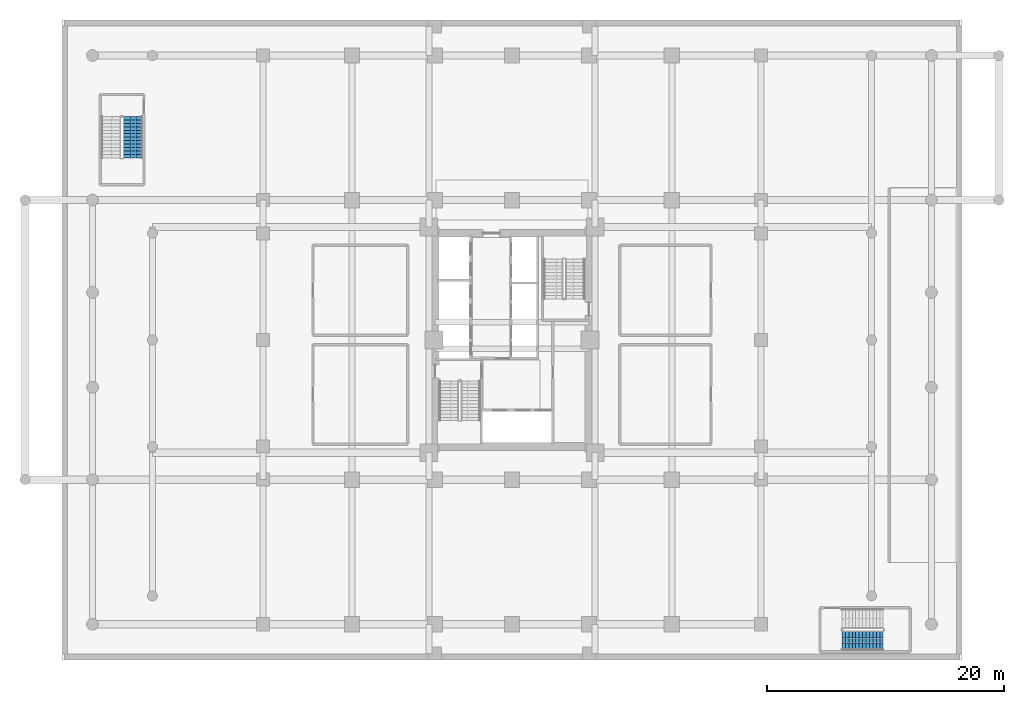
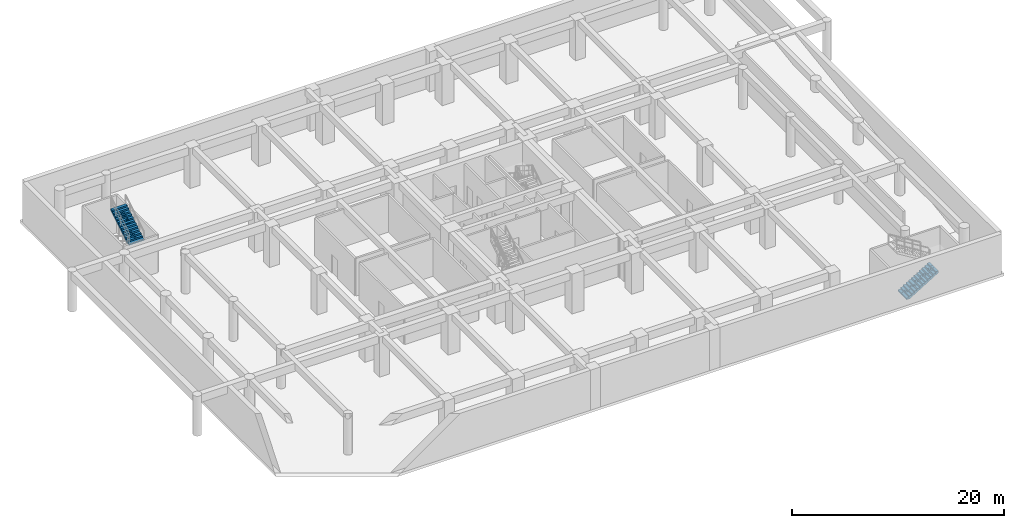
# One storey, part 7 of 12: 2 stair flights, 2 elements without a shape of their own.
"""IFC4 building model written with IfcOpenShell, lengths in metres."""

import ifcopenshell
import ifcopenshell.guid

model = None  # the IFC model being written
_history = None  # IfcOwnerHistory: only IFC2X3 demands one
_inside = {}  # id of a spatial element -> (the spatial element, [elements in it])
_under = {}  # id of a project, library or spatial element -> (it, [spatial elements below it])
_declared = {}  # id of a project -> (the project, [libraries it declares])
_typed = {}  # id of a type object -> (the type object, [elements of that type])
_made_of = {}  # id of a material, layer set ... -> (it, [elements and type objects made of it])


def new_model(schema):
    """Start an empty IFC model of exactly this schema.

    Asked for "IFC4X3", IfcOpenShell would pick the latest addendum, in which some entities
    have other attributes; the version numbers below select the first issue.
    IFC2X3 requires an IfcOwnerHistory on every rooted entity: one is made here for all.
    """
    global model, _history
    if schema == "IFC4X3":
        model = ifcopenshell.file(schema_version=(4, 3, 0, 0))
    else:
        model = ifcopenshell.file(schema=schema)
    _inside.clear()
    _under.clear()
    _declared.clear()
    _typed.clear()
    _made_of.clear()
    _history = None
    if model.schema == "IFC2X3":
        org = make("IfcOrganization", Name="unknown")
        user = make(
            "IfcPersonAndOrganization",
            ThePerson=make("IfcPerson", FamilyName="unknown"),
            TheOrganization=org,
        )
        app = make(
            "IfcApplication",
            ApplicationDeveloper=org,
            Version="unknown",
            ApplicationFullName="unknown",
            ApplicationIdentifier="unknown",
        )
        _history = make(
            "IfcOwnerHistory",
            OwningUser=user,
            OwningApplication=app,
            ChangeAction="ADDED",
            CreationDate=0,
        )
    return model


def make(cls, **values):
    """One entity of the class cls with the attributes given. An attribute that is None is left unset."""
    return model.create_entity(
        cls, **{name: value for name, value in values.items() if value is not None}
    )


def rooted(cls, **values):
    """An entity with a GlobalId (a new one), such as an element, a storey or a relation."""
    return make(cls, GlobalId=ifcopenshell.guid.new(), OwnerHistory=_history, **values)


def si_unit(unit_type, name, prefix=None):
    """IfcSIUnit, for example si_unit("LENGTHUNIT", "METRE", prefix="MILLI")."""
    return make("IfcSIUnit", UnitType=unit_type, Prefix=prefix, Name=name)


def assignment(units):
    """IfcUnitAssignment: the units of a project."""
    return None if units is None else make("IfcUnitAssignment", Units=units)


def point(xyz):
    """IfcCartesianPoint."""
    return None if xyz is None else make("IfcCartesianPoint", Coordinates=xyz)


def direction(xyz):
    """IfcDirection."""
    return None if xyz is None else make("IfcDirection", DirectionRatios=xyz)


def frame(location, z_axis=None, x_axis=None):
    """IfcAxis2Placement3D, a coordinate frame: its origin and axes. An axis left out is left unset."""
    return make(
        "IfcAxis2Placement3D",
        Location=point(location),
        Axis=direction(z_axis),
        RefDirection=direction(x_axis),
    )


def origin():
    """The frame at (0, 0, 0) with its axes left unset."""
    return frame((0.0, 0.0, 0.0))


def place(relative_to, where):
    """IfcLocalPlacement: puts the frame where relative to a parent placement (None: the world)."""
    return make(
        "IfcLocalPlacement", PlacementRelTo=relative_to, RelativePlacement=where
    )


def context(
    kind, dimensions, precision=None, world=None, true_north=None, identifier=None
):
    """IfcGeometricRepresentationContext, for example the 3D "Model" context."""
    return make(
        "IfcGeometricRepresentationContext",
        ContextIdentifier=identifier,
        ContextType=kind,
        CoordinateSpaceDimension=dimensions,
        Precision=precision,
        WorldCoordinateSystem=world,
        TrueNorth=true_north,
    )


def subcontext(parent, identifier, kind, view, scale=None):
    """IfcGeometricRepresentationSubContext, for example "Body" below "Model"."""
    return make(
        "IfcGeometricRepresentationSubContext",
        ContextIdentifier=identifier,
        ContextType=kind,
        ParentContext=parent,
        TargetScale=scale,
        TargetView=view,
    )


def project(units=None, contexts=None):
    """IfcProject with its units and contexts."""
    return rooted(
        "IfcProject",
        Name="project",
        RepresentationContexts=contexts,
        UnitsInContext=assignment(units),
    )


def spatial(cls, under=None, at=None, **own):
    """A site, building, storey or space (cls), placed at a placement, below another one or the project."""
    s = rooted(cls, ObjectPlacement=at, **own)
    if under is not None:
        _under.setdefault(under.id(), (under, []))[1].append(s)
    return s


def polyline(points):
    """IfcPolyline through the points."""
    return make("IfcPolyline", Points=[point(p) for p in points])


def outline(outer, holes=None, kind="AREA"):
    """IfcArbitraryClosedProfileDef: a profile drawn as a closed curve; with holes, ...WithVoids."""
    if holes is None:
        return make("IfcArbitraryClosedProfileDef", ProfileType=kind, OuterCurve=outer)
    return make(
        "IfcArbitraryProfileDefWithVoids",
        ProfileType=kind,
        OuterCurve=outer,
        InnerCurves=holes,
    )


def extrude(swept, where, along, depth):
    """IfcExtrudedAreaSolid: the profile swept, set in the frame where, extruded along a direction by depth."""
    return make(
        "IfcExtrudedAreaSolid",
        SweptArea=swept,
        Position=where,
        ExtrudedDirection=direction(along),
        Depth=depth,
    )


def shape(context_of_items, identifier, shape_type, items):
    """IfcShapeRepresentation: the items that make up one representation, for example the "Body"."""
    return make(
        "IfcShapeRepresentation",
        ContextOfItems=context_of_items,
        RepresentationIdentifier=identifier,
        RepresentationType=shape_type,
        Items=items,
    )


def material(Name=None, Category=None):
    """IfcMaterial."""
    return make("IfcMaterial", Name=Name, Category=Category)


def made_of(thing, what):
    """Note that an element or type object is made of a material, layer set ...; save() writes the relation."""
    if what is not None:
        _made_of.setdefault(what.id(), (what, []))[1].append(thing)
    return thing


def type_object(cls, material=None, **own):
    """A type object (cls), such as IfcWallType, which elements share."""
    return made_of(rooted(cls, **own), material)


def element(
    cls,
    number,
    at=None,
    inside=None,
    cuts=None,
    type_object=None,
    material=None,
    context=None,
    identifier="Body",
    shape_type=None,
    held_by="IfcProductDefinitionShape",
    body=None,
    shapes=None,
    **own,
):
    """One element of the class cls, such as IfcWall. Its Tag is "e" and its number.

    at: its placement. inside: the storey or other place that contains it. cuts: it is an
    opening in that element (IfcRelVoidsElement). A single representation is given by context,
    identifier, shape_type and body (its items); several are given by shapes. held_by: the class
    of the entity that holds the representations. save() writes the other relations.
    """
    e = rooted(cls, Tag="e%d" % number, ObjectPlacement=at, **own)
    if body is not None:
        shapes = [shape(context, identifier, shape_type, body)]
    if shapes is not None:
        e.Representation = make(held_by, Representations=shapes)
    if inside is not None:
        _inside.setdefault(inside.id(), (inside, []))[1].append(e)
    if cuts is not None:
        rooted(
            "IfcRelVoidsElement", RelatingBuildingElement=cuts, RelatedOpeningElement=e
        )
    if type_object is not None:
        _typed.setdefault(type_object.id(), (type_object, []))[1].append(e)
    return made_of(e, material)


def aggregate(whole, parts):
    """IfcRelAggregates: a whole, such as a stair, and the parts it consists of."""
    return rooted("IfcRelAggregates", RelatingObject=whole, RelatedObjects=parts)


def save(model, path):
    """Write the relations noted so far, then the file.

    IfcRelAggregates (storeys below a building ...), IfcRelContainedInSpatialStructure (elements
    in a storey), IfcRelDefinesByType, IfcRelAssociatesMaterial and IfcRelDeclares: one each for
    every whole, place, type object, material and project.
    """
    for whole, parts in _under.values():
        aggregate(whole, parts)
    for where, things in _inside.values():
        rooted(
            "IfcRelContainedInSpatialStructure",
            RelatedElements=things,
            RelatingStructure=where,
        )
    for kind, things in _typed.values():
        rooted("IfcRelDefinesByType", RelatedObjects=things, RelatingType=kind)
    for what, things in _made_of.values():
        rooted("IfcRelAssociatesMaterial", RelatedObjects=things, RelatingMaterial=what)
    for by, libraries in _declared.values():
        rooted("IfcRelDeclares", RelatingContext=by, RelatedDefinitions=libraries)
    model.write(path)


model = new_model("IFC4")

# Units and contexts
model_context = context("Model", 3, precision=1e-05, world=origin(), true_north=direction((0.0, 1.0)))
body_context = subcontext(model_context, "Body", "Model", "MODEL_VIEW")
ifc_project = project(units=[si_unit("LENGTHUNIT", "METRE"), si_unit("AREAUNIT", "SQUARE_METRE"), si_unit("VOLUMEUNIT", "CUBIC_METRE"), si_unit("PLANEANGLEUNIT", "RADIAN"), si_unit("MASSUNIT", "GRAM", prefix="KILO")], contexts=[model_context])

# Site, building, storey
site_placement = place(None, origin())
site = spatial("IfcSite", under=ifc_project, at=site_placement, CompositionType="ELEMENT")
building_placement = place(site_placement, origin())
building = spatial("IfcBuilding", under=site, at=building_placement, Name="Saelheon Loggia Tower", CompositionType="ELEMENT")
storey_placement = place(building_placement, frame((0.0, 0.0, -4.60009765625)))
storey = spatial("IfcBuildingStorey", under=building, at=storey_placement, Name="B1", CompositionType="ELEMENT", Elevation=-4.60009765625)

# Stair, stair flight
ifc_material = material(Name="Concrete C40/50", Category="concrete")
stair_type = type_object("IfcStairType", Name="Stair_Escape_Podium", PredefinedType="HALF_TURN_STAIR", material=ifc_material)
stair_1_placement = place(storey_placement, origin())
stair_1 = element("IfcStair", 1, at=stair_1_placement, inside=storey, type_object=stair_type, Name="B1 Podium Escape Stair ST3", PredefinedType="HALF_TURN_STAIR")
stair_flight_type = type_object("IfcStairFlightType", Name="StairFlight_Podium_1660", PredefinedType="STRAIGHT", material=ifc_material)
stair_flight_1_placement = place(storey_placement, frame((6.0, 42.3701171875, 2.300048828125), z_axis=(0.0, 0.0, 1.0), x_axis=(0.0, 1.0, 0.0)))
stair_flight_1 = element("IfcStairFlight", 2, at=stair_flight_1_placement, type_object=stair_flight_type, Name="ST3 flight 2", NumberOfRisers=13, NumberOfTreads=12, PredefinedType="STRAIGHT", RiserHeight=0.176923077, TreadLength=0.29, context=body_context, shape_type="SweptSolid", body=[
    extrude(outline(polyline([(0.0, 0.0), (0.0, 0.177001953125), (0.2900390625, 0.177001953125), (0.2900390625, 0.353759765625), (0.580078125, 0.353759765625), (0.580078125, 0.53076171875), (0.8701171875, 0.53076171875), (0.8701171875, 0.707763671875), (1.159912109375, 0.707763671875), (1.159912109375, 0.884521484375), (1.449951171875, 0.884521484375), (1.449951171875, 1.0615234375), (1.739990234375, 1.0615234375), (1.739990234375, 1.238525390625), (2.030029296875, 1.238525390625), (2.030029296875, 1.415283203125), (2.320068359375, 1.415283203125), (2.320068359375, 1.59228515625), (2.610107421875, 1.59228515625), (2.610107421875, 1.769287109375), (2.89990234375, 1.769287109375), (2.89990234375, 1.946044921875), (3.18994140625, 1.946044921875), (3.18994140625, 2.123046875), (3.47998046875, 2.123046875), (3.47998046875, 2.300048828125), (3.47998046875, 1.912353515625), (0.345458984375, 0.0), (0.0, 0.0)])), frame((0.0, -0.2490234375, 0.0), z_axis=(0.0, -1.0, 0.0), x_axis=(1.0, 0.0, 0.0)), (0.0, 0.0, 1.0), 0.5810546875),
    extrude(outline(polyline([(0.0, 0.0), (0.0, 0.177001953125), (0.2900390625, 0.177001953125), (0.2900390625, 0.353759765625), (0.580078125, 0.353759765625), (0.580078125, 0.53076171875), (0.8701171875, 0.53076171875), (0.8701171875, 0.707763671875), (1.159912109375, 0.707763671875), (1.159912109375, 0.884521484375), (1.449951171875, 0.884521484375), (1.449951171875, 1.0615234375), (1.739990234375, 1.0615234375), (1.739990234375, 1.238525390625), (2.030029296875, 1.238525390625), (2.030029296875, 1.415283203125), (2.320068359375, 1.415283203125), (2.320068359375, 1.59228515625), (2.610107421875, 1.59228515625), (2.610107421875, 1.769287109375), (2.89990234375, 1.769287109375), (2.89990234375, 1.946044921875), (3.18994140625, 1.946044921875), (3.18994140625, 2.123046875), (3.47998046875, 2.123046875), (3.47998046875, 2.300048828125), (3.47998046875, 1.912353515625), (0.345458984375, 0.0), (0.0, 0.0)])), frame((0.0, -0.194091796875, 0.0), z_axis=(0.0, -1.0, 0.0), x_axis=(1.0, 0.0, 0.0)), (0.0, 0.0, 1.0), 0.0498046875),
    extrude(outline(polyline([(0.0, 0.0), (0.0, 0.177001953125), (0.2900390625, 0.177001953125), (0.2900390625, 0.353759765625), (0.580078125, 0.353759765625), (0.580078125, 0.53076171875), (0.8701171875, 0.53076171875), (0.8701171875, 0.707763671875), (1.159912109375, 0.707763671875), (1.159912109375, 0.884521484375), (1.449951171875, 0.884521484375), (1.449951171875, 1.0615234375), (1.739990234375, 1.0615234375), (1.739990234375, 1.238525390625), (2.030029296875, 1.238525390625), (2.030029296875, 1.415283203125), (2.320068359375, 1.415283203125), (2.320068359375, 1.59228515625), (2.610107421875, 1.59228515625), (2.610107421875, 1.769287109375), (2.89990234375, 1.769287109375), (2.89990234375, 1.946044921875), (3.18994140625, 1.946044921875), (3.18994140625, 2.123046875), (3.47998046875, 2.123046875), (3.47998046875, 2.300048828125), (3.47998046875, 1.912353515625), (0.345458984375, 0.0), (0.0, 0.0)])), frame((0.0, -0.139404296875, 0.0), z_axis=(0.0, -1.0, 0.0), x_axis=(1.0, 0.0, 0.0)), (0.0, 0.0, 1.0), 0.0498046875),
    extrude(outline(polyline([(0.0, 0.0), (0.0, 0.177001953125), (0.2900390625, 0.177001953125), (0.2900390625, 0.353759765625), (0.580078125, 0.353759765625), (0.580078125, 0.53076171875), (0.8701171875, 0.53076171875), (0.8701171875, 0.707763671875), (1.159912109375, 0.707763671875), (1.159912109375, 0.884521484375), (1.449951171875, 0.884521484375), (1.449951171875, 1.0615234375), (1.739990234375, 1.0615234375), (1.739990234375, 1.238525390625), (2.030029296875, 1.238525390625), (2.030029296875, 1.415283203125), (2.320068359375, 1.415283203125), (2.320068359375, 1.59228515625), (2.610107421875, 1.59228515625), (2.610107421875, 1.769287109375), (2.89990234375, 1.769287109375), (2.89990234375, 1.946044921875), (3.18994140625, 1.946044921875), (3.18994140625, 2.123046875), (3.47998046875, 2.123046875), (3.47998046875, 2.300048828125), (3.47998046875, 1.912353515625), (0.345458984375, 0.0), (0.0, 0.0)])), frame((0.0, -0.084716796875, 0.0), z_axis=(0.0, -1.0, 0.0), x_axis=(1.0, 0.0, 0.0)), (0.0, 0.0, 1.0), 0.0498046875),
    extrude(outline(polyline([(0.0, 0.0), (0.0, 0.177001953125), (0.2900390625, 0.177001953125), (0.2900390625, 0.353759765625), (0.580078125, 0.353759765625), (0.580078125, 0.53076171875), (0.8701171875, 0.53076171875), (0.8701171875, 0.707763671875), (1.159912109375, 0.707763671875), (1.159912109375, 0.884521484375), (1.449951171875, 0.884521484375), (1.449951171875, 1.0615234375), (1.739990234375, 1.0615234375), (1.739990234375, 1.238525390625), (2.030029296875, 1.238525390625), (2.030029296875, 1.415283203125), (2.320068359375, 1.415283203125), (2.320068359375, 1.59228515625), (2.610107421875, 1.59228515625), (2.610107421875, 1.769287109375), (2.89990234375, 1.769287109375), (2.89990234375, 1.946044921875), (3.18994140625, 1.946044921875), (3.18994140625, 2.123046875), (3.47998046875, 2.123046875), (3.47998046875, 2.300048828125), (3.47998046875, 1.912353515625), (0.345458984375, 0.0), (0.0, 0.0)])), frame((0.0, -0.02978515625, 0.0), z_axis=(0.0, -1.0, 0.0), x_axis=(1.0, 0.0, 0.0)), (0.0, 0.0, 1.0), 0.0498046875),
    extrude(outline(polyline([(0.0, 0.0), (0.0, 0.177001953125), (0.2900390625, 0.177001953125), (0.2900390625, 0.353759765625), (0.580078125, 0.353759765625), (0.580078125, 0.53076171875), (0.8701171875, 0.53076171875), (0.8701171875, 0.707763671875), (1.159912109375, 0.707763671875), (1.159912109375, 0.884521484375), (1.449951171875, 0.884521484375), (1.449951171875, 1.0615234375), (1.739990234375, 1.0615234375), (1.739990234375, 1.238525390625), (2.030029296875, 1.238525390625), (2.030029296875, 1.415283203125), (2.320068359375, 1.415283203125), (2.320068359375, 1.59228515625), (2.610107421875, 1.59228515625), (2.610107421875, 1.769287109375), (2.89990234375, 1.769287109375), (2.89990234375, 1.946044921875), (3.18994140625, 1.946044921875), (3.18994140625, 2.123046875), (3.47998046875, 2.123046875), (3.47998046875, 2.300048828125), (3.47998046875, 1.912353515625), (0.345458984375, 0.0), (0.0, 0.0)])), frame((0.0, 0.02490234375, 0.0), z_axis=(0.0, -1.0, 0.0), x_axis=(1.0, 0.0, 0.0)), (0.0, 0.0, 1.0), 0.0498046875),
    extrude(outline(polyline([(0.0, 0.0), (0.0, 0.177001953125), (0.2900390625, 0.177001953125), (0.2900390625, 0.353759765625), (0.580078125, 0.353759765625), (0.580078125, 0.53076171875), (0.8701171875, 0.53076171875), (0.8701171875, 0.707763671875), (1.159912109375, 0.707763671875), (1.159912109375, 0.884521484375), (1.449951171875, 0.884521484375), (1.449951171875, 1.0615234375), (1.739990234375, 1.0615234375), (1.739990234375, 1.238525390625), (2.030029296875, 1.238525390625), (2.030029296875, 1.415283203125), (2.320068359375, 1.415283203125), (2.320068359375, 1.59228515625), (2.610107421875, 1.59228515625), (2.610107421875, 1.769287109375), (2.89990234375, 1.769287109375), (2.89990234375, 1.946044921875), (3.18994140625, 1.946044921875), (3.18994140625, 2.123046875), (3.47998046875, 2.123046875), (3.47998046875, 2.300048828125), (3.47998046875, 1.912353515625), (0.345458984375, 0.0), (0.0, 0.0)])), frame((0.0, 0.07958984375, 0.0), z_axis=(0.0, -1.0, 0.0), x_axis=(1.0, 0.0, 0.0)), (0.0, 0.0, 1.0), 0.0498046875),
    extrude(outline(polyline([(0.0, 0.0), (0.0, 0.177001953125), (0.2900390625, 0.177001953125), (0.2900390625, 0.353759765625), (0.580078125, 0.353759765625), (0.580078125, 0.53076171875), (0.8701171875, 0.53076171875), (0.8701171875, 0.707763671875), (1.159912109375, 0.707763671875), (1.159912109375, 0.884521484375), (1.449951171875, 0.884521484375), (1.449951171875, 1.0615234375), (1.739990234375, 1.0615234375), (1.739990234375, 1.238525390625), (2.030029296875, 1.238525390625), (2.030029296875, 1.415283203125), (2.320068359375, 1.415283203125), (2.320068359375, 1.59228515625), (2.610107421875, 1.59228515625), (2.610107421875, 1.769287109375), (2.89990234375, 1.769287109375), (2.89990234375, 1.946044921875), (3.18994140625, 1.946044921875), (3.18994140625, 2.123046875), (3.47998046875, 2.123046875), (3.47998046875, 2.300048828125), (3.47998046875, 1.912353515625), (0.345458984375, 0.0), (0.0, 0.0)])), frame((0.0, 0.134521484375, 0.0), z_axis=(0.0, -1.0, 0.0), x_axis=(1.0, 0.0, 0.0)), (0.0, 0.0, 1.0), 0.0498046875),
    extrude(outline(polyline([(0.0, 0.0), (0.0, 0.177001953125), (0.2900390625, 0.177001953125), (0.2900390625, 0.353759765625), (0.580078125, 0.353759765625), (0.580078125, 0.53076171875), (0.8701171875, 0.53076171875), (0.8701171875, 0.707763671875), (1.159912109375, 0.707763671875), (1.159912109375, 0.884521484375), (1.449951171875, 0.884521484375), (1.449951171875, 1.0615234375), (1.739990234375, 1.0615234375), (1.739990234375, 1.238525390625), (2.030029296875, 1.238525390625), (2.030029296875, 1.415283203125), (2.320068359375, 1.415283203125), (2.320068359375, 1.59228515625), (2.610107421875, 1.59228515625), (2.610107421875, 1.769287109375), (2.89990234375, 1.769287109375), (2.89990234375, 1.946044921875), (3.18994140625, 1.946044921875), (3.18994140625, 2.123046875), (3.47998046875, 2.123046875), (3.47998046875, 2.300048828125), (3.47998046875, 1.912353515625), (0.345458984375, 0.0), (0.0, 0.0)])), frame((0.0, 0.189208984375, 0.0), z_axis=(0.0, -1.0, 0.0), x_axis=(1.0, 0.0, 0.0)), (0.0, 0.0, 1.0), 0.0498046875),
    extrude(outline(polyline([(0.0, 0.0), (0.0, 0.177001953125), (0.2900390625, 0.177001953125), (0.2900390625, 0.353759765625), (0.580078125, 0.353759765625), (0.580078125, 0.53076171875), (0.8701171875, 0.53076171875), (0.8701171875, 0.707763671875), (1.159912109375, 0.707763671875), (1.159912109375, 0.884521484375), (1.449951171875, 0.884521484375), (1.449951171875, 1.0615234375), (1.739990234375, 1.0615234375), (1.739990234375, 1.238525390625), (2.030029296875, 1.238525390625), (2.030029296875, 1.415283203125), (2.320068359375, 1.415283203125), (2.320068359375, 1.59228515625), (2.610107421875, 1.59228515625), (2.610107421875, 1.769287109375), (2.89990234375, 1.769287109375), (2.89990234375, 1.946044921875), (3.18994140625, 1.946044921875), (3.18994140625, 2.123046875), (3.47998046875, 2.123046875), (3.47998046875, 2.300048828125), (3.47998046875, 1.912353515625), (0.345458984375, 0.0), (0.0, 0.0)])), frame((0.0, 0.243896484375, 0.0), z_axis=(0.0, -1.0, 0.0), x_axis=(1.0, 0.0, 0.0)), (0.0, 0.0, 1.0), 0.0498046875),
    extrude(outline(polyline([(0.0, 0.0), (0.0, 0.177001953125), (0.2900390625, 0.177001953125), (0.2900390625, 0.353759765625), (0.580078125, 0.353759765625), (0.580078125, 0.53076171875), (0.8701171875, 0.53076171875), (0.8701171875, 0.707763671875), (1.159912109375, 0.707763671875), (1.159912109375, 0.884521484375), (1.449951171875, 0.884521484375), (1.449951171875, 1.0615234375), (1.739990234375, 1.0615234375), (1.739990234375, 1.238525390625), (2.030029296875, 1.238525390625), (2.030029296875, 1.415283203125), (2.320068359375, 1.415283203125), (2.320068359375, 1.59228515625), (2.610107421875, 1.59228515625), (2.610107421875, 1.769287109375), (2.89990234375, 1.769287109375), (2.89990234375, 1.946044921875), (3.18994140625, 1.946044921875), (3.18994140625, 2.123046875), (3.47998046875, 2.123046875), (3.47998046875, 2.300048828125), (3.47998046875, 1.912353515625), (0.345458984375, 0.0), (0.0, 0.0)])), frame((0.0, 0.830078125, 0.0), z_axis=(0.0, -1.0, 0.0), x_axis=(1.0, 0.0, 0.0)), (0.0, 0.0, 1.0), 0.5810546875),
])
aggregate(stair_1, [stair_flight_1])

stair_2_placement = place(storey_placement, origin())
stair_2 = element("IfcStair", 3, at=stair_2_placement, inside=storey, type_object=stair_type, Name="B1 Podium Escape Stair ST4", PredefinedType="HALF_TURN_STAIR")
stair_flight_2_placement = place(storey_placement, frame((65.85009765625, 1.6298828125, 0.0), z_axis=(0.0, 0.0, 1.0), x_axis=(1.0, 0.0, 0.0)))
stair_flight_2 = element("IfcStairFlight", 4, at=stair_flight_2_placement, type_object=stair_flight_type, Name="ST4 flight 1", NumberOfRisers=13, NumberOfTreads=12, PredefinedType="STRAIGHT", RiserHeight=0.176923077, TreadLength=0.29, context=body_context, shape_type="SweptSolid", body=[
    extrude(outline(polyline([(0.0, 0.0), (0.0, 0.177001953125), (0.2900390625, 0.177001953125), (0.2900390625, 0.353759765625), (0.580078125, 0.353759765625), (0.580078125, 0.53076171875), (0.8701171875, 0.53076171875), (0.8701171875, 0.707763671875), (1.159912109375, 0.707763671875), (1.159912109375, 0.884521484375), (1.449951171875, 0.884521484375), (1.449951171875, 1.0615234375), (1.739990234375, 1.0615234375), (1.739990234375, 1.238525390625), (2.030029296875, 1.238525390625), (2.030029296875, 1.415283203125), (2.320068359375, 1.415283203125), (2.320068359375, 1.59228515625), (2.610107421875, 1.59228515625), (2.610107421875, 1.769287109375), (2.89990234375, 1.769287109375), (2.89990234375, 1.946044921875), (3.18994140625, 1.946044921875), (3.18994140625, 2.123046875), (3.47998046875, 2.123046875), (3.47998046875, 2.300048828125), (3.47998046875, 1.912353515625), (0.345458984375, 0.0), (0.0, 0.0)])), frame((0.0, -0.2490234375, 0.0), z_axis=(0.0, -1.0, 0.0), x_axis=(1.0, 0.0, 0.0)), (0.0, 0.0, 1.0), 0.5810546875),
    extrude(outline(polyline([(0.0, 0.0), (0.0, 0.177001953125), (0.2900390625, 0.177001953125), (0.2900390625, 0.353759765625), (0.580078125, 0.353759765625), (0.580078125, 0.53076171875), (0.8701171875, 0.53076171875), (0.8701171875, 0.707763671875), (1.159912109375, 0.707763671875), (1.159912109375, 0.884521484375), (1.449951171875, 0.884521484375), (1.449951171875, 1.0615234375), (1.739990234375, 1.0615234375), (1.739990234375, 1.238525390625), (2.030029296875, 1.238525390625), (2.030029296875, 1.415283203125), (2.320068359375, 1.415283203125), (2.320068359375, 1.59228515625), (2.610107421875, 1.59228515625), (2.610107421875, 1.769287109375), (2.89990234375, 1.769287109375), (2.89990234375, 1.946044921875), (3.18994140625, 1.946044921875), (3.18994140625, 2.123046875), (3.47998046875, 2.123046875), (3.47998046875, 2.300048828125), (3.47998046875, 1.912353515625), (0.345458984375, 0.0), (0.0, 0.0)])), frame((0.0, -0.194091796875, 0.0), z_axis=(0.0, -1.0, 0.0), x_axis=(1.0, 0.0, 0.0)), (0.0, 0.0, 1.0), 0.0498046875),
    extrude(outline(polyline([(0.0, 0.0), (0.0, 0.177001953125), (0.2900390625, 0.177001953125), (0.2900390625, 0.353759765625), (0.580078125, 0.353759765625), (0.580078125, 0.53076171875), (0.8701171875, 0.53076171875), (0.8701171875, 0.707763671875), (1.159912109375, 0.707763671875), (1.159912109375, 0.884521484375), (1.449951171875, 0.884521484375), (1.449951171875, 1.0615234375), (1.739990234375, 1.0615234375), (1.739990234375, 1.238525390625), (2.030029296875, 1.238525390625), (2.030029296875, 1.415283203125), (2.320068359375, 1.415283203125), (2.320068359375, 1.59228515625), (2.610107421875, 1.59228515625), (2.610107421875, 1.769287109375), (2.89990234375, 1.769287109375), (2.89990234375, 1.946044921875), (3.18994140625, 1.946044921875), (3.18994140625, 2.123046875), (3.47998046875, 2.123046875), (3.47998046875, 2.300048828125), (3.47998046875, 1.912353515625), (0.345458984375, 0.0), (0.0, 0.0)])), frame((0.0, -0.139404296875, 0.0), z_axis=(0.0, -1.0, 0.0), x_axis=(1.0, 0.0, 0.0)), (0.0, 0.0, 1.0), 0.0498046875),
    extrude(outline(polyline([(0.0, 0.0), (0.0, 0.177001953125), (0.2900390625, 0.177001953125), (0.2900390625, 0.353759765625), (0.580078125, 0.353759765625), (0.580078125, 0.53076171875), (0.8701171875, 0.53076171875), (0.8701171875, 0.707763671875), (1.159912109375, 0.707763671875), (1.159912109375, 0.884521484375), (1.449951171875, 0.884521484375), (1.449951171875, 1.0615234375), (1.739990234375, 1.0615234375), (1.739990234375, 1.238525390625), (2.030029296875, 1.238525390625), (2.030029296875, 1.415283203125), (2.320068359375, 1.415283203125), (2.320068359375, 1.59228515625), (2.610107421875, 1.59228515625), (2.610107421875, 1.769287109375), (2.89990234375, 1.769287109375), (2.89990234375, 1.946044921875), (3.18994140625, 1.946044921875), (3.18994140625, 2.123046875), (3.47998046875, 2.123046875), (3.47998046875, 2.300048828125), (3.47998046875, 1.912353515625), (0.345458984375, 0.0), (0.0, 0.0)])), frame((0.0, -0.084716796875, 0.0), z_axis=(0.0, -1.0, 0.0), x_axis=(1.0, 0.0, 0.0)), (0.0, 0.0, 1.0), 0.0498046875),
    extrude(outline(polyline([(0.0, 0.0), (0.0, 0.177001953125), (0.2900390625, 0.177001953125), (0.2900390625, 0.353759765625), (0.580078125, 0.353759765625), (0.580078125, 0.53076171875), (0.8701171875, 0.53076171875), (0.8701171875, 0.707763671875), (1.159912109375, 0.707763671875), (1.159912109375, 0.884521484375), (1.449951171875, 0.884521484375), (1.449951171875, 1.0615234375), (1.739990234375, 1.0615234375), (1.739990234375, 1.238525390625), (2.030029296875, 1.238525390625), (2.030029296875, 1.415283203125), (2.320068359375, 1.415283203125), (2.320068359375, 1.59228515625), (2.610107421875, 1.59228515625), (2.610107421875, 1.769287109375), (2.89990234375, 1.769287109375), (2.89990234375, 1.946044921875), (3.18994140625, 1.946044921875), (3.18994140625, 2.123046875), (3.47998046875, 2.123046875), (3.47998046875, 2.300048828125), (3.47998046875, 1.912353515625), (0.345458984375, 0.0), (0.0, 0.0)])), frame((0.0, -0.02978515625, 0.0), z_axis=(0.0, -1.0, 0.0), x_axis=(1.0, 0.0, 0.0)), (0.0, 0.0, 1.0), 0.0498046875),
    extrude(outline(polyline([(0.0, 0.0), (0.0, 0.177001953125), (0.2900390625, 0.177001953125), (0.2900390625, 0.353759765625), (0.580078125, 0.353759765625), (0.580078125, 0.53076171875), (0.8701171875, 0.53076171875), (0.8701171875, 0.707763671875), (1.159912109375, 0.707763671875), (1.159912109375, 0.884521484375), (1.449951171875, 0.884521484375), (1.449951171875, 1.0615234375), (1.739990234375, 1.0615234375), (1.739990234375, 1.238525390625), (2.030029296875, 1.238525390625), (2.030029296875, 1.415283203125), (2.320068359375, 1.415283203125), (2.320068359375, 1.59228515625), (2.610107421875, 1.59228515625), (2.610107421875, 1.769287109375), (2.89990234375, 1.769287109375), (2.89990234375, 1.946044921875), (3.18994140625, 1.946044921875), (3.18994140625, 2.123046875), (3.47998046875, 2.123046875), (3.47998046875, 2.300048828125), (3.47998046875, 1.912353515625), (0.345458984375, 0.0), (0.0, 0.0)])), frame((0.0, 0.02490234375, 0.0), z_axis=(0.0, -1.0, 0.0), x_axis=(1.0, 0.0, 0.0)), (0.0, 0.0, 1.0), 0.0498046875),
    extrude(outline(polyline([(0.0, 0.0), (0.0, 0.177001953125), (0.2900390625, 0.177001953125), (0.2900390625, 0.353759765625), (0.580078125, 0.353759765625), (0.580078125, 0.53076171875), (0.8701171875, 0.53076171875), (0.8701171875, 0.707763671875), (1.159912109375, 0.707763671875), (1.159912109375, 0.884521484375), (1.449951171875, 0.884521484375), (1.449951171875, 1.0615234375), (1.739990234375, 1.0615234375), (1.739990234375, 1.238525390625), (2.030029296875, 1.238525390625), (2.030029296875, 1.415283203125), (2.320068359375, 1.415283203125), (2.320068359375, 1.59228515625), (2.610107421875, 1.59228515625), (2.610107421875, 1.769287109375), (2.89990234375, 1.769287109375), (2.89990234375, 1.946044921875), (3.18994140625, 1.946044921875), (3.18994140625, 2.123046875), (3.47998046875, 2.123046875), (3.47998046875, 2.300048828125), (3.47998046875, 1.912353515625), (0.345458984375, 0.0), (0.0, 0.0)])), frame((0.0, 0.07958984375, 0.0), z_axis=(0.0, -1.0, 0.0), x_axis=(1.0, 0.0, 0.0)), (0.0, 0.0, 1.0), 0.0498046875),
    extrude(outline(polyline([(0.0, 0.0), (0.0, 0.177001953125), (0.2900390625, 0.177001953125), (0.2900390625, 0.353759765625), (0.580078125, 0.353759765625), (0.580078125, 0.53076171875), (0.8701171875, 0.53076171875), (0.8701171875, 0.707763671875), (1.159912109375, 0.707763671875), (1.159912109375, 0.884521484375), (1.449951171875, 0.884521484375), (1.449951171875, 1.0615234375), (1.739990234375, 1.0615234375), (1.739990234375, 1.238525390625), (2.030029296875, 1.238525390625), (2.030029296875, 1.415283203125), (2.320068359375, 1.415283203125), (2.320068359375, 1.59228515625), (2.610107421875, 1.59228515625), (2.610107421875, 1.769287109375), (2.89990234375, 1.769287109375), (2.89990234375, 1.946044921875), (3.18994140625, 1.946044921875), (3.18994140625, 2.123046875), (3.47998046875, 2.123046875), (3.47998046875, 2.300048828125), (3.47998046875, 1.912353515625), (0.345458984375, 0.0), (0.0, 0.0)])), frame((0.0, 0.134521484375, 0.0), z_axis=(0.0, -1.0, 0.0), x_axis=(1.0, 0.0, 0.0)), (0.0, 0.0, 1.0), 0.0498046875),
    extrude(outline(polyline([(0.0, 0.0), (0.0, 0.177001953125), (0.2900390625, 0.177001953125), (0.2900390625, 0.353759765625), (0.580078125, 0.353759765625), (0.580078125, 0.53076171875), (0.8701171875, 0.53076171875), (0.8701171875, 0.707763671875), (1.159912109375, 0.707763671875), (1.159912109375, 0.884521484375), (1.449951171875, 0.884521484375), (1.449951171875, 1.0615234375), (1.739990234375, 1.0615234375), (1.739990234375, 1.238525390625), (2.030029296875, 1.238525390625), (2.030029296875, 1.415283203125), (2.320068359375, 1.415283203125), (2.320068359375, 1.59228515625), (2.610107421875, 1.59228515625), (2.610107421875, 1.769287109375), (2.89990234375, 1.769287109375), (2.89990234375, 1.946044921875), (3.18994140625, 1.946044921875), (3.18994140625, 2.123046875), (3.47998046875, 2.123046875), (3.47998046875, 2.300048828125), (3.47998046875, 1.912353515625), (0.345458984375, 0.0), (0.0, 0.0)])), frame((0.0, 0.189208984375, 0.0), z_axis=(0.0, -1.0, 0.0), x_axis=(1.0, 0.0, 0.0)), (0.0, 0.0, 1.0), 0.0498046875),
    extrude(outline(polyline([(0.0, 0.0), (0.0, 0.177001953125), (0.2900390625, 0.177001953125), (0.2900390625, 0.353759765625), (0.580078125, 0.353759765625), (0.580078125, 0.53076171875), (0.8701171875, 0.53076171875), (0.8701171875, 0.707763671875), (1.159912109375, 0.707763671875), (1.159912109375, 0.884521484375), (1.449951171875, 0.884521484375), (1.449951171875, 1.0615234375), (1.739990234375, 1.0615234375), (1.739990234375, 1.238525390625), (2.030029296875, 1.238525390625), (2.030029296875, 1.415283203125), (2.320068359375, 1.415283203125), (2.320068359375, 1.59228515625), (2.610107421875, 1.59228515625), (2.610107421875, 1.769287109375), (2.89990234375, 1.769287109375), (2.89990234375, 1.946044921875), (3.18994140625, 1.946044921875), (3.18994140625, 2.123046875), (3.47998046875, 2.123046875), (3.47998046875, 2.300048828125), (3.47998046875, 1.912353515625), (0.345458984375, 0.0), (0.0, 0.0)])), frame((0.0, 0.243896484375, 0.0), z_axis=(0.0, -1.0, 0.0), x_axis=(1.0, 0.0, 0.0)), (0.0, 0.0, 1.0), 0.0498046875),
    extrude(outline(polyline([(0.0, 0.0), (0.0, 0.177001953125), (0.2900390625, 0.177001953125), (0.2900390625, 0.353759765625), (0.580078125, 0.353759765625), (0.580078125, 0.53076171875), (0.8701171875, 0.53076171875), (0.8701171875, 0.707763671875), (1.159912109375, 0.707763671875), (1.159912109375, 0.884521484375), (1.449951171875, 0.884521484375), (1.449951171875, 1.0615234375), (1.739990234375, 1.0615234375), (1.739990234375, 1.238525390625), (2.030029296875, 1.238525390625), (2.030029296875, 1.415283203125), (2.320068359375, 1.415283203125), (2.320068359375, 1.59228515625), (2.610107421875, 1.59228515625), (2.610107421875, 1.769287109375), (2.89990234375, 1.769287109375), (2.89990234375, 1.946044921875), (3.18994140625, 1.946044921875), (3.18994140625, 2.123046875), (3.47998046875, 2.123046875), (3.47998046875, 2.300048828125), (3.47998046875, 1.912353515625), (0.345458984375, 0.0), (0.0, 0.0)])), frame((0.0, 0.830078125, 0.0), z_axis=(0.0, -1.0, 0.0), x_axis=(1.0, 0.0, 0.0)), (0.0, 0.0, 1.0), 0.5810546875),
])
aggregate(stair_2, [stair_flight_2])

save(model, "model.ifc")
